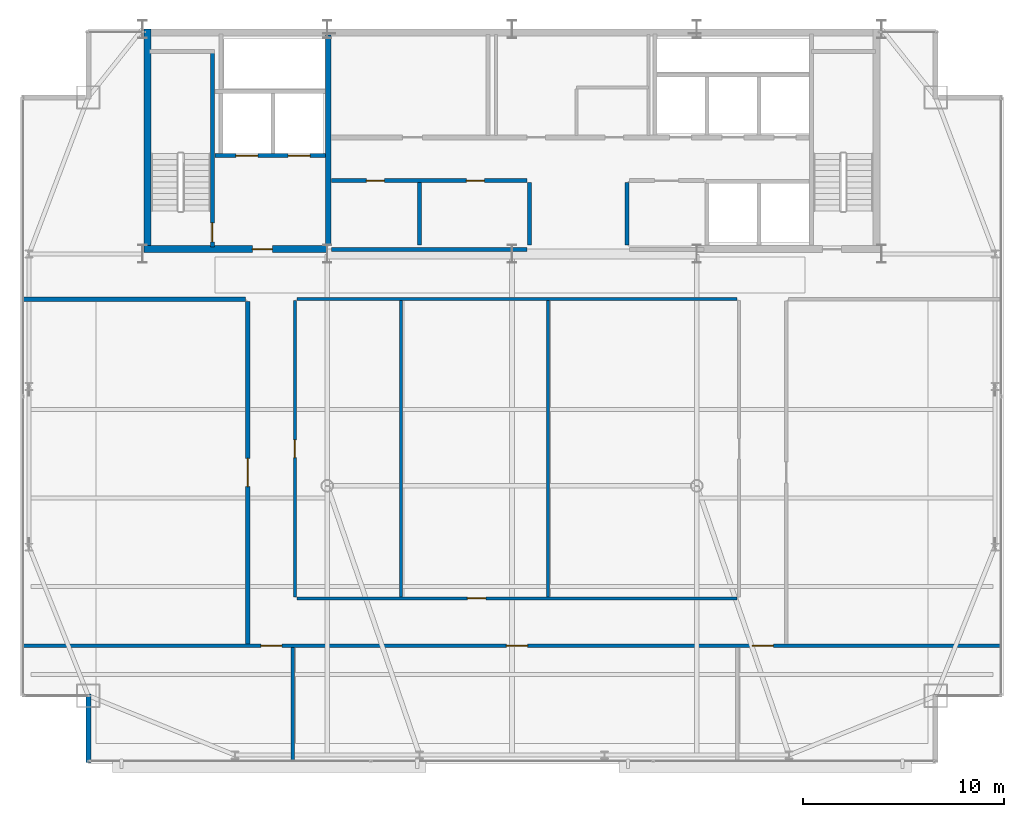
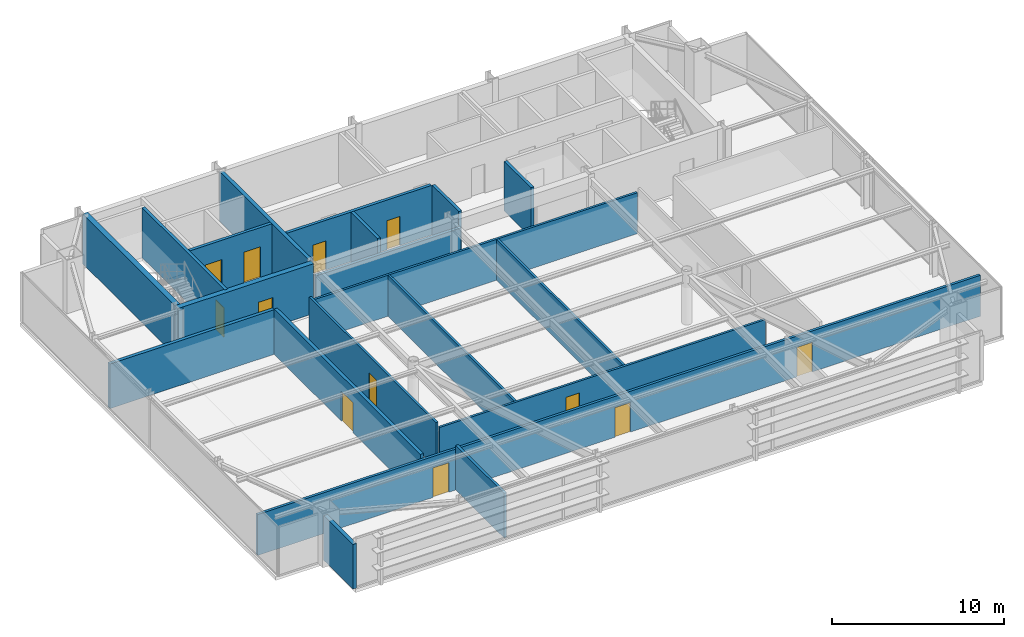
# One storey, part 22 of 25: 20 walls, 12 doors, 12 openings.
"""IFC4 building model written with IfcOpenShell, lengths in metres."""

from ifc_helpers import new_model, si_unit, direction, frame, frame_2d, origin, place, context, subcontext, project, spatial, rectangle, extrude, source, transform, mapped, material, layer, layer_set, type_object, type_shapes, element, fill, save


model = new_model("IFC4")

# Units and contexts
model_context = context("Model", 3, precision=1e-05, world=origin(), true_north=direction((0.0, 1.0)))
body_context = subcontext(model_context, "Body", "Model", "MODEL_VIEW")
ifc_project = project(units=[si_unit("LENGTHUNIT", "METRE"), si_unit("AREAUNIT", "SQUARE_METRE"), si_unit("VOLUMEUNIT", "CUBIC_METRE"), si_unit("PLANEANGLEUNIT", "RADIAN"), si_unit("MASSUNIT", "GRAM", prefix="KILO")], contexts=[model_context])

# Site, building, storey
site_placement = place(None, origin())
site = spatial("IfcSite", under=ifc_project, at=site_placement, CompositionType="ELEMENT")
building_placement = place(site_placement, origin())
building = spatial("IfcBuilding", under=site, at=building_placement, Name="Varnel Quay Broadcast Tower", CompositionType="ELEMENT")
storey_placement = place(building_placement, frame((0.0, 0.0, 226.39990234375)))
storey = spatial("IfcBuildingStorey", under=building, at=storey_placement, Name="L56", CompositionType="ELEMENT", Elevation=226.39990234375)

# Wall, opening, door
ifc_material_1 = material(Name="Concrete CSA A23.3 C50/60", Category="concrete")
ifc_layer_1 = layer(ifc_material_1, 0.199951171875, Name="Concrete CSA A23.3 C50/60")
ifc_layer_set_1 = layer_set([ifc_layer_1], Name="Concrete CSA A23.3 C50/60")
wall_type_1 = type_object("IfcWallType", Name="Wall_CoreShaftShear200", PredefinedType="SHEAR", material=ifc_layer_set_1)
wall_1_placement = place(storey_placement, frame((19.080078125, 35.949951171875, 0.0), z_axis=(0.0, 0.0, 1.0), x_axis=(0.0, 1.0, 0.0)))
wall_1 = element("IfcWall", 1, at=wall_1_placement, inside=storey, type_object=wall_type_1, Name="L56 Stair 1 East Structural Wall", PredefinedType="SHEAR", context=body_context, shape_type="SweptSolid", body=[
    extrude(rectangle(XDim=9.650146484375, YDim=0.199951171875, at=frame_2d((4.8251953125, 0.0))), origin(), (0.0, 0.0, 1.0), 3.550048828125),
])
opening_1_placement = place(wall_1_placement, frame((0.25, 0.0, 0.0)))
opening_1 = element("IfcOpeningElement", 2, at=opening_1_placement, cuts=wall_1, Name="Opening D-L56-S1", PredefinedType="OPENING", context=body_context, shape_type="SweptSolid", body=[
    extrude(rectangle(XDim=0.949951171875, YDim=2.10009765625, at=frame_2d((0.47509765625, 1.050048828125))), frame((0.0, 0.10986328125, 0.0), z_axis=(0.0, -1.0, 0.0), x_axis=(1.0, 0.0, 0.0)), (0.0, 0.0, 1.0), 0.219970703125),
])
ifc_material_2 = material(Name="Insulated Fire-Rated Hollow Steel Door", Category="steel")
door_type_1 = type_object("IfcDoorType", Name="Door_FireStair950", OperationType="NOTDEFINED", PredefinedType="DOOR", material=ifc_material_2)
shared_shape_1 = source(origin(), body_context, "Body", "SweptSolid", [
    extrude(rectangle(XDim=0.949951171875, YDim=2.10009765625, at=frame_2d((0.47509765625, 1.050048828125))), frame((0.0, 0.02490234375, 0.0), z_axis=(0.0, -1.0, 0.0), x_axis=(1.0, 0.0, 0.0)), (0.0, 0.0, 1.0), 0.050048828125),
])
type_shapes(door_type_1, [shared_shape_1])
door_1_placement = place(opening_1_placement, origin())
door_1 = element("IfcDoor", 3, at=door_1_placement, inside=storey, type_object=door_type_1, Name="L56 Stair 1 Fire Door", OperationType="SINGLE_SWING_RIGHT", OverallHeight=2.10009765625, OverallWidth=0.949951171875, PredefinedType="DOOR", context=body_context, shape_type="MappedRepresentation", body=[
    mapped(shared_shape_1, transform((0.0, 0.0, 0.0), x_axis=(1.0, 0.0, 0.0), y_axis=(0.0, 1.0, 0.0), z_axis=(0.0, 0.0, 1.0), scale=1.0)),
])
fill(opening_1, door_1)

# Wall, openings, doors
wall_2_placement = place(storey_placement, frame((19.199951171875, 40.5, 0.0), z_axis=(0.0, 0.0, 1.0), x_axis=(1.0, 0.0, 0.0)))
wall_2 = element("IfcWall", 4, at=wall_2_placement, inside=storey, type_object=wall_type_1, Name="L56 Firefighter Lift Shaft Front Wall", PredefinedType="SHEAR", context=body_context, shape_type="SweptSolid", body=[
    extrude(rectangle(XDim=5.52001953125, YDim=0.199951171875, at=frame_2d((2.760009765625, 0.0))), origin(), (0.0, 0.0, 1.0), 3.550048828125),
])
opening_2_placement = place(wall_2_placement, frame((1.050048828125, 0.0, 0.0)))
opening_2 = element("IfcOpeningElement", 5, at=opening_2_placement, cuts=wall_2, Name="Opening LD-L56-FE1", PredefinedType="OPENING", context=body_context, shape_type="SweptSolid", body=[
    extrude(rectangle(XDim=1.10009765625, YDim=2.179931640625, at=frame_2d((0.550048828125, 1.08984375))), frame((0.0, 0.10986328125, 0.0), z_axis=(0.0, -1.0, 0.0), x_axis=(1.0, 0.0, 0.0)), (0.0, 0.0, 1.0), 0.219970703125),
])
opening_3_placement = place(wall_2_placement, frame((3.64990234375, 0.0, 0.0)))
opening_3 = element("IfcOpeningElement", 6, at=opening_3_placement, cuts=wall_2, Name="Opening LD-L56-FE2", PredefinedType="OPENING", context=body_context, shape_type="SweptSolid", body=[
    extrude(rectangle(XDim=1.10009765625, YDim=2.179931640625, at=frame_2d((0.550048828125, 1.08984375))), frame((0.0, 0.10986328125, 0.0), z_axis=(0.0, -1.0, 0.0), x_axis=(1.0, 0.0, 0.0)), (0.0, 0.0, 1.0), 0.219970703125),
])
ifc_material_3 = material(Name="Brushed Bronze-Stainless Lift Car & Sliding Doors", Category="steel")
door_type_2 = type_object("IfcDoorType", Name="Door_LiftLanding1100", OperationType="SLIDING_TO_LEFT", PredefinedType="DOOR", material=ifc_material_3)
shared_shape_2 = source(origin(), body_context, "Body", "SweptSolid", [
    extrude(rectangle(XDim=1.10009765625, YDim=2.179931640625, at=frame_2d((0.550048828125, 1.08984375))), frame((0.0, 0.02490234375, 0.0), z_axis=(0.0, -1.0, 0.0), x_axis=(1.0, 0.0, 0.0)), (0.0, 0.0, 1.0), 0.050048828125),
])
type_shapes(door_type_2, [shared_shape_2])
door_2_placement = place(opening_2_placement, frame((1.10009765625, 0.0, 0.0), z_axis=(0.0, 0.0, 1.0), x_axis=(-1.0, 0.0, 0.0)))
door_2 = element("IfcDoor", 7, at=door_2_placement, inside=storey, type_object=door_type_2, Name="L56 Firefighter Lift FE-01 Landing Door", OperationType="SLIDING_TO_LEFT", OverallHeight=2.179931640625, OverallWidth=1.10009765625, PredefinedType="DOOR", context=body_context, shape_type="MappedRepresentation", body=[
    mapped(shared_shape_2, transform((0.0, 0.0, 0.0), x_axis=(1.0, 0.0, 0.0), y_axis=(0.0, 1.0, 0.0), z_axis=(0.0, 0.0, 1.0), scale=1.0)),
])
fill(opening_2, door_2)
door_3_placement = place(opening_3_placement, frame((1.10009765625, 0.0, 0.0), z_axis=(0.0, 0.0, 1.0), x_axis=(-1.0, 0.0, 0.0)))
door_3 = element("IfcDoor", 8, at=door_3_placement, inside=storey, type_object=door_type_2, Name="L56 Firefighter Lift FE-02 Landing Door", OperationType="SLIDING_TO_RIGHT", OverallHeight=2.179931640625, OverallWidth=1.10009765625, PredefinedType="DOOR", context=body_context, shape_type="MappedRepresentation", body=[
    mapped(shared_shape_2, transform((0.0, 0.0, 0.0), x_axis=(1.0, 0.0, 0.0), y_axis=(0.0, 1.0, 0.0), z_axis=(0.0, 0.0, 1.0), scale=1.0)),
])
fill(opening_3, door_3)

# Walls
ifc_layer_2 = layer(ifc_material_1, 0.25, Name="Concrete CSA A23.3 C50/60")
ifc_layer_set_2 = layer_set([ifc_layer_2], Name="Concrete CSA A23.3 C50/60")
wall_type_2 = type_object("IfcWallType", Name="Wall_CoreShaftShear250", PredefinedType="SHEAR", material=ifc_layer_set_2)
wall_3_placement = place(storey_placement, frame((24.85009765625, 36.050048828125, 0.0), z_axis=(0.0, 0.0, 1.0), x_axis=(0.0, 1.0, 0.0)))
element("IfcWall", 9, at=wall_3_placement, inside=storey, type_object=wall_type_2, Name="L56 Firefighting Lobby East Structural Wall", PredefinedType="SHEAR", context=body_context, shape_type="SweptSolid", body=[
    extrude(rectangle(XDim=10.449951171875, YDim=0.25, at=frame_2d((5.22509765625, 0.0))), origin(), (0.0, 0.0, 1.0), 3.550048828125),
])
ifc_layer_3 = layer(ifc_material_1, 0.35009765625, Name="Concrete CSA A23.3 C50/60")
ifc_layer_set_3 = layer_set([ifc_layer_3], Name="Concrete CSA A23.3 C50/60")
wall_type_3 = type_object("IfcWallType", Name="Wall_CoreShearInt350", PredefinedType="SHEAR", material=ifc_layer_set_3)
wall_4_placement = place(storey_placement, frame((15.844970703125, 35.669921875, 0.0), z_axis=(0.0, 0.0, 1.0), x_axis=(0.0, 1.0, 0.0)))
element("IfcWall", 10, at=wall_4_placement, inside=storey, type_object=wall_type_3, Name="L56 West Core Shear Wall", PredefinedType="SHEAR", context=body_context, shape_type="SweptSolid", body=[
    extrude(rectangle(XDim=11.130126953125, YDim=0.35009765625, at=frame_2d((5.56494140625, 0.0))), origin(), (0.0, 0.0, 1.0), 3.550048828125),
])

# Wall, opening, door
wall_5_placement = place(storey_placement, frame((15.669921875, 35.844970703125, 0.0), z_axis=(0.0, 0.0, 1.0), x_axis=(1.0, 0.0, 0.0)))
wall_5 = element("IfcWall", 11, at=wall_5_placement, inside=storey, type_object=wall_type_3, Name="L56 South-West Core Shear Wall", PredefinedType="SHEAR", context=body_context, shape_type="SweptSolid", body=[
    extrude(rectangle(XDim=9.130126953125, YDim=0.35009765625, at=frame_2d((4.56494140625, 0.0))), origin(), (0.0, 0.0, 1.0), 3.550048828125),
])
opening_4_placement = place(wall_5_placement, frame((5.39990234375, 0.0, 0.0)))
opening_4 = element("IfcOpeningElement", 12, at=opening_4_placement, cuts=wall_5, Name="Opening D-L56-FFL", PredefinedType="OPENING", context=body_context, shape_type="SweptSolid", body=[
    extrude(rectangle(XDim=1.0, YDim=2.10009765625, at=frame_2d((0.5, 1.050048828125))), frame((0.0, 0.18505859375, 0.0), z_axis=(0.0, -1.0, 0.0), x_axis=(1.0, 0.0, 0.0)), (0.0, 0.0, 1.0), 0.3701171875),
])
door_type_3 = type_object("IfcDoorType", Name="Door_FireLobby1000", OperationType="NOTDEFINED", PredefinedType="DOOR", material=ifc_material_2)
shared_shape_3 = source(origin(), body_context, "Body", "SweptSolid", [
    extrude(rectangle(XDim=1.0, YDim=2.10009765625, at=frame_2d((0.5, 1.050048828125))), frame((0.0, 0.02490234375, 0.0), z_axis=(0.0, -1.0, 0.0), x_axis=(1.0, 0.0, 0.0)), (0.0, 0.0, 1.0), 0.050048828125),
])
type_shapes(door_type_3, [shared_shape_3])
door_4_placement = place(opening_4_placement, origin())
door_4 = element("IfcDoor", 13, at=door_4_placement, inside=storey, type_object=door_type_3, Name="L56 Firefighting Lobby Door", OperationType="SINGLE_SWING_LEFT", OverallHeight=2.10009765625, OverallWidth=1.0, PredefinedType="DOOR", context=body_context, shape_type="MappedRepresentation", body=[
    mapped(shared_shape_3, transform((0.0, 0.0, 0.0), x_axis=(1.0, 0.0, 0.0), y_axis=(0.0, 1.0, 0.0), z_axis=(0.0, 0.0, 1.0), scale=1.0)),
])
fill(opening_4, door_4)

# Walls
ifc_material_4 = material(Name="Precast Architectural Concrete C40/50", Category="concrete")
ifc_layer_4 = layer(ifc_material_4, 0.25, Name="Precast Architectural Concrete C40/50")
ifc_layer_set_4 = layer_set([ifc_layer_4], Name="Precast Architectural Concrete C40/50")
wall_type_4 = type_object("IfcWallType", Name="Wall_ExtTerrace250", PredefinedType="SOLIDWALL", material=ifc_layer_set_4)
wall_6_placement = place(storey_placement, frame((12.89990234375, 10.280029296875, 0.0), z_axis=(0.0, 0.0, 1.0), x_axis=(0.0, 1.0, 0.0)))
element("IfcWall", 14, at=wall_6_placement, inside=storey, type_object=wall_type_4, Name="L56 Mega-Column Notch Cladding Wall NSW2", PredefinedType="SOLIDWALL", context=body_context, shape_type="SweptSolid", body=[
    extrude(rectangle(XDim=3.39990234375, YDim=0.25, at=frame_2d((1.699951171875, 0.0))), origin(), (0.0, 0.0, 1.0), 3.171142578125),
])
ifc_material_5 = material(Name="Concrete Blockwork Fire Enclosure C40/50", Category="masonry")
ifc_layer_5 = layer(ifc_material_5, 0.199951171875, Name="Concrete Blockwork Fire Enclosure C40/50")
ifc_layer_set_5 = layer_set([ifc_layer_5], Name="Concrete Blockwork Fire Enclosure C40/50")
wall_type_5 = type_object("IfcWallType", Name="Wall_FireShaft200", PredefinedType="SOLIDWALL", material=ifc_layer_set_5)
wall_7_placement = place(storey_placement, frame((39.72509765625, 36.050048828125, 0.0), z_axis=(0.0, 0.0, 1.0), x_axis=(0.0, 1.0, 0.0)))
element("IfcWall", 15, at=wall_7_placement, inside=storey, type_object=wall_type_5, Name="L56 Electrical Sub-Distribution Closet Partition 7", PredefinedType="SOLIDWALL", context=body_context, shape_type="SweptSolid", body=[
    extrude(rectangle(XDim=3.099853515625, YDim=0.199951171875, at=frame_2d((1.5498046875, 0.0))), origin(), (0.0, 0.0, 1.0), 3.530029296875),
])

# Wall, opening, door
ifc_material_6 = material(Name="Steel-Stud Fire-Rated Acoustic Gypsum Partition Assembly", Category="steel")
ifc_layer_6 = layer(ifc_material_6, 0.14990234375, Name="Steel-Stud Fire-Rated Acoustic Gypsum Partition Assembly")
ifc_layer_set_6 = layer_set([ifc_layer_6], Name="Steel-Stud Fire-Rated Acoustic Gypsum Partition Assembly")
wall_type_6 = type_object("IfcWallType", Name="Wall_Partition150", PredefinedType="PARTITIONING", material=ifc_layer_set_6)
wall_8_placement = place(storey_placement, frame((23.2900390625, 18.449951171875, 0.0), z_axis=(0.0, 0.0, 1.0), x_axis=(1.0, 0.0, 0.0)))
wall_8 = element("IfcWall", 16, at=wall_8_placement, inside=storey, type_object=wall_type_6, Name="L56 Catering Kitchen 5 Partition 13", PredefinedType="PARTITIONING", context=body_context, shape_type="SweptSolid", body=[
    extrude(rectangle(XDim=21.919921875, YDim=0.14990234375, at=frame_2d((10.9599609375, 0.0))), origin(), (0.0, 0.0, 1.0), 2.908203125),
])
opening_5_placement = place(wall_8_placement, frame((8.485107421875, 0.0, 0.0)))
opening_5 = element("IfcOpeningElement", 17, at=opening_5_placement, cuts=wall_8, Name="Opening D-L56-09", PredefinedType="OPENING", context=body_context, shape_type="SweptSolid", body=[
    extrude(rectangle(XDim=0.919921875, YDim=2.080078125, at=frame_2d((0.4599609375, 1.0400390625))), frame((0.0, 0.0849609375, 0.0), z_axis=(0.0, -1.0, 0.0), x_axis=(1.0, 0.0, 0.0)), (0.0, 0.0, 1.0), 0.169921875),
])
ifc_material_7 = material(Name="Solid-Core Fire-Rated Acoustic Oak Veneer Door", Category="wood")
door_type_4 = type_object("IfcDoorType", Name="Door_Office920", OperationType="NOTDEFINED", PredefinedType="DOOR", material=ifc_material_7)
shared_shape_4 = source(origin(), body_context, "Body", "SweptSolid", [
    extrude(rectangle(XDim=0.919921875, YDim=2.080078125, at=frame_2d((0.4599609375, 1.0400390625))), frame((0.0, 0.02490234375, 0.0), z_axis=(0.0, -1.0, 0.0), x_axis=(1.0, 0.0, 0.0)), (0.0, 0.0, 1.0), 0.050048828125),
])
type_shapes(door_type_4, [shared_shape_4])
door_5_placement = place(opening_5_placement, origin())
door_5 = element("IfcDoor", 18, at=door_5_placement, inside=storey, type_object=door_type_4, Name="L56 Bureau Office 6 Door D-L56-09", OperationType="SINGLE_SWING_LEFT", OverallHeight=2.080078125, OverallWidth=0.919921875, PredefinedType="DOOR", context=body_context, shape_type="MappedRepresentation", body=[
    mapped(shared_shape_4, transform((0.0, 0.0, 0.0), x_axis=(1.0, 0.0, 0.0), y_axis=(0.0, 1.0, 0.0), z_axis=(0.0, 0.0, 1.0), scale=1.0)),
])
fill(opening_5, door_5)

# Walls
wall_9_placement = place(storey_placement, frame((28.47998046875, 18.52490234375, 0.0), z_axis=(0.0, 0.0, 1.0), x_axis=(0.0, 1.0, 0.0)))
element("IfcWall", 19, at=wall_9_placement, inside=storey, type_object=wall_type_6, Name="L56 Catering Kitchen 5 Partition 14", PredefinedType="PARTITIONING", context=body_context, shape_type="SweptSolid", body=[
    extrude(rectangle(XDim=14.75, YDim=0.14990234375, at=frame_2d((7.375, 0.0))), origin(), (0.0, 0.0, 1.0), 2.908203125),
])
wall_10_placement = place(storey_placement, frame((23.2900390625, 33.35009765625, 0.0), z_axis=(0.0, 0.0, 1.0), x_axis=(1.0, 0.0, 0.0)))
element("IfcWall", 20, at=wall_10_placement, inside=storey, type_object=wall_type_6, Name="L56 Catering Kitchen 5 Partition 15", PredefinedType="PARTITIONING", context=body_context, shape_type="SweptSolid", body=[
    extrude(rectangle(XDim=21.919921875, YDim=0.14990234375, at=frame_2d((10.9599609375, 0.0))), origin(), (0.0, 0.0, 1.0), 2.908203125),
])

# Wall, opening, door
wall_11_placement = place(storey_placement, frame((23.18994140625, 18.52490234375, 0.0), z_axis=(0.0, 0.0, 1.0), x_axis=(0.0, 1.0, 0.0)))
wall_11 = element("IfcWall", 21, at=wall_11_placement, inside=storey, type_object=wall_type_6, Name="L56 Catering Kitchen 5 Partition 16", PredefinedType="PARTITIONING", context=body_context, shape_type="SweptSolid", body=[
    extrude(rectangle(XDim=14.75, YDim=0.14990234375, at=frame_2d((7.375, 0.0))), origin(), (0.0, 0.0, 1.0), 3.22216796875),
])
opening_6_placement = place(wall_11_placement, frame((6.93505859375, 0.0, 0.0)))
opening_6 = element("IfcOpeningElement", 22, at=opening_6_placement, cuts=wall_11, Name="Opening D-L56-08", PredefinedType="OPENING", context=body_context, shape_type="SweptSolid", body=[
    extrude(rectangle(XDim=0.8798828125, YDim=2.06005859375, at=frame_2d((0.43994140625, 1.030029296875))), frame((0.0, 0.0849609375, 0.0), z_axis=(0.0, -1.0, 0.0), x_axis=(1.0, 0.0, 0.0)), (0.0, 0.0, 1.0), 0.169921875),
])
door_type_5 = type_object("IfcDoorType", Name="Door_Booth880", OperationType="NOTDEFINED", PredefinedType="DOOR", material=ifc_material_7)
shared_shape_5 = source(origin(), body_context, "Body", "SweptSolid", [
    extrude(rectangle(XDim=0.8798828125, YDim=2.06005859375, at=frame_2d((0.43994140625, 1.030029296875))), frame((0.0, 0.02490234375, 0.0), z_axis=(0.0, -1.0, 0.0), x_axis=(1.0, 0.0, 0.0)), (0.0, 0.0, 1.0), 0.050048828125),
])
type_shapes(door_type_5, [shared_shape_5])
door_6_placement = place(opening_6_placement, frame((0.8798828125, 0.0, 0.0), z_axis=(0.0, 0.0, 1.0), x_axis=(-1.0, 0.0, 0.0)))
door_6 = element("IfcDoor", 23, at=door_6_placement, inside=storey, type_object=door_type_5, Name="L56 Catering Kitchen 5 Door D-L56-08", OperationType="SINGLE_SWING_RIGHT", OverallHeight=2.06005859375, OverallWidth=0.8798828125, PredefinedType="DOOR", context=body_context, shape_type="MappedRepresentation", body=[
    mapped(shared_shape_5, transform((0.0, 0.0, 0.0), x_axis=(1.0, 0.0, 0.0), y_axis=(0.0, 1.0, 0.0), z_axis=(0.0, 0.0, 1.0), scale=1.0)),
])
fill(opening_6, door_6)

# Walls
wall_12_placement = place(storey_placement, frame((35.7900390625, 18.52490234375, 0.0), z_axis=(0.0, 0.0, 1.0), x_axis=(0.0, 1.0, 0.0)))
element("IfcWall", 24, at=wall_12_placement, inside=storey, type_object=wall_type_6, Name="L56 Bureau Office 6 Partition 17", PredefinedType="PARTITIONING", context=body_context, shape_type="SweptSolid", body=[
    extrude(rectangle(XDim=14.75, YDim=0.14990234375, at=frame_2d((7.375, 0.0))), origin(), (0.0, 0.0, 1.0), 2.908203125),
])
ifc_layer_7 = layer(ifc_material_6, 0.175048828125, Name="Steel-Stud Fire-Rated Acoustic Gypsum Partition Assembly")
ifc_layer_set_7 = layer_set([ifc_layer_7], Name="Steel-Stud Fire-Rated Acoustic Gypsum Partition Assembly")
wall_type_7 = type_object("IfcWallType", Name="Wall_Partition175", PredefinedType="PARTITIONING", material=ifc_layer_set_7)
wall_13_placement = place(storey_placement, frame((23.090087890625, 10.3798828125, 0.0), z_axis=(0.0, 0.0, 1.0), x_axis=(0.0, 1.0, 0.0)))
element("IfcWall", 25, at=wall_13_placement, inside=storey, type_object=wall_type_7, Name="L56 Broadcast Seminar Room 1 Partition 8", PredefinedType="PARTITIONING", context=body_context, shape_type="SweptSolid", body=[
    extrude(rectangle(XDim=5.633056640625, YDim=0.175048828125, at=frame_2d((2.81640625, 0.0))), origin(), (0.0, 0.0, 1.0), 3.171142578125),
])

# Wall, openings, doors
wall_14_placement = place(storey_placement, frame((9.679931640625, 16.10009765625, 0.0), z_axis=(0.0, 0.0, 1.0), x_axis=(1.0, 0.0, 0.0)))
wall_14 = element("IfcWall", 26, at=wall_14_placement, inside=storey, type_object=wall_type_7, Name="L56 Broadcast Seminar Room 1 Partition 9", PredefinedType="PARTITIONING", context=body_context, shape_type="SweptSolid", body=[
    extrude(rectangle(XDim=48.64013671875, YDim=0.175048828125, at=frame_2d((24.320068359375, 0.0))), origin(), (0.0, 0.0, 1.0), 2.908203125),
])
opening_7_placement = place(wall_14_placement, frame((11.81005859375, 0.0, 0.0)))
opening_7 = element("IfcOpeningElement", 27, at=opening_7_placement, cuts=wall_14, Name="Opening D-L56-04", PredefinedType="OPENING", context=body_context, shape_type="SweptSolid", body=[
    extrude(rectangle(XDim=1.050048828125, YDim=2.10009765625, at=frame_2d((0.52490234375, 1.050048828125))), frame((0.0, 0.09765625, 0.0), z_axis=(0.0, -1.0, 0.0), x_axis=(1.0, 0.0, 0.0)), (0.0, 0.0, 1.0), 0.195068359375),
])
opening_8_placement = place(wall_14_placement, frame((24.044921875, 0.0, 0.0)))
opening_8 = element("IfcOpeningElement", 28, at=opening_8_placement, cuts=wall_14, Name="Opening D-L56-05", PredefinedType="OPENING", context=body_context, shape_type="SweptSolid", body=[
    extrude(rectangle(XDim=1.050048828125, YDim=2.10009765625, at=frame_2d((0.52490234375, 1.050048828125))), frame((0.0, 0.09765625, 0.0), z_axis=(0.0, -1.0, 0.0), x_axis=(1.0, 0.0, 0.0)), (0.0, 0.0, 1.0), 0.195068359375),
])
opening_9_placement = place(wall_14_placement, frame((36.280029296875, 0.0, 0.0)))
opening_9 = element("IfcOpeningElement", 29, at=opening_9_placement, cuts=wall_14, Name="Opening D-L56-06", PredefinedType="OPENING", context=body_context, shape_type="SweptSolid", body=[
    extrude(rectangle(XDim=1.050048828125, YDim=2.10009765625, at=frame_2d((0.52490234375, 1.050048828125))), frame((0.0, 0.09765625, 0.0), z_axis=(0.0, -1.0, 0.0), x_axis=(1.0, 0.0, 0.0)), (0.0, 0.0, 1.0), 0.195068359375),
])
door_type_6 = type_object("IfcDoorType", Name="Door_Meeting1050", OperationType="NOTDEFINED", PredefinedType="DOOR", material=ifc_material_7)
shared_shape_6 = source(origin(), body_context, "Body", "SweptSolid", [
    extrude(rectangle(XDim=1.050048828125, YDim=2.10009765625, at=frame_2d((0.52490234375, 1.050048828125))), frame((0.0, 0.02490234375, 0.0), z_axis=(0.0, -1.0, 0.0), x_axis=(1.0, 0.0, 0.0)), (0.0, 0.0, 1.0), 0.050048828125),
])
type_shapes(door_type_6, [shared_shape_6])
door_7_placement = place(opening_7_placement, frame((1.050048828125, 0.0, 0.0), z_axis=(0.0, 0.0, 1.0), x_axis=(-1.0, 0.0, 0.0)))
door_7 = element("IfcDoor", 30, at=door_7_placement, inside=storey, type_object=door_type_6, Name="L56 Broadcast Seminar Room 1 Door D-L56-04", OperationType="SINGLE_SWING_LEFT", OverallHeight=2.10009765625, OverallWidth=1.050048828125, PredefinedType="DOOR", context=body_context, shape_type="MappedRepresentation", body=[
    mapped(shared_shape_6, transform((0.0, 0.0, 0.0), x_axis=(1.0, 0.0, 0.0), y_axis=(0.0, 1.0, 0.0), z_axis=(0.0, 0.0, 1.0), scale=1.0)),
])
fill(opening_7, door_7)
door_8_placement = place(opening_8_placement, frame((1.050048828125, 0.0, 0.0), z_axis=(0.0, 0.0, 1.0), x_axis=(-1.0, 0.0, 0.0)))
door_8 = element("IfcDoor", 31, at=door_8_placement, inside=storey, type_object=door_type_6, Name="L56 Press Briefing Room 2 Door D-L56-05", OperationType="SINGLE_SWING_RIGHT", OverallHeight=2.10009765625, OverallWidth=1.050048828125, PredefinedType="DOOR", context=body_context, shape_type="MappedRepresentation", body=[
    mapped(shared_shape_6, transform((0.0, 0.0, 0.0), x_axis=(1.0, 0.0, 0.0), y_axis=(0.0, 1.0, 0.0), z_axis=(0.0, 0.0, 1.0), scale=1.0)),
])
fill(opening_8, door_8)
door_9_placement = place(opening_9_placement, frame((1.050048828125, 0.0, 0.0), z_axis=(0.0, 0.0, 1.0), x_axis=(-1.0, 0.0, 0.0)))
door_9 = element("IfcDoor", 32, at=door_9_placement, inside=storey, type_object=door_type_6, Name="L56 Editorial Huddle Room 3 Door D-L56-06", OperationType="SINGLE_SWING_LEFT", OverallHeight=2.10009765625, OverallWidth=1.050048828125, PredefinedType="DOOR", context=body_context, shape_type="MappedRepresentation", body=[
    mapped(shared_shape_6, transform((0.0, 0.0, 0.0), x_axis=(1.0, 0.0, 0.0), y_axis=(0.0, 1.0, 0.0), z_axis=(0.0, 0.0, 1.0), scale=1.0)),
])
fill(opening_9, door_9)

# Wall, opening, door
ifc_layer_8 = layer(ifc_material_6, 0.22509765625, Name="Steel-Stud Fire-Rated Acoustic Gypsum Partition Assembly")
ifc_layer_set_8 = layer_set([ifc_layer_8], Name="Steel-Stud Fire-Rated Acoustic Gypsum Partition Assembly")
wall_type_8 = type_object("IfcWallType", Name="Wall_Partition225", PredefinedType="PARTITIONING", material=ifc_layer_set_8)
wall_15_placement = place(storey_placement, frame((20.840087890625, 16.18798828125, 0.0), z_axis=(0.0, 0.0, 1.0), x_axis=(0.0, 1.0, 0.0)))
wall_15 = element("IfcWall", 33, at=wall_15_placement, inside=storey, type_object=wall_type_8, Name="L56 Journalism Training Studio 4 Partition 11", PredefinedType="PARTITIONING", context=body_context, shape_type="SweptSolid", body=[
    extrude(rectangle(XDim=17.050048828125, YDim=0.22509765625, at=frame_2d((8.52490234375, 0.0))), origin(), (0.0, 0.0, 1.0), 3.22216796875),
])
opening_10_placement = place(wall_15_placement, frame((7.8310546875, 0.0, 0.0)))
opening_10 = element("IfcOpeningElement", 34, at=opening_10_placement, cuts=wall_15, Name="Opening D-L56-07", PredefinedType="OPENING", context=body_context, shape_type="SweptSolid", body=[
    extrude(rectangle(XDim=1.39990234375, YDim=2.1201171875, at=frame_2d((0.699951171875, 1.06005859375))), frame((0.0, 0.12255859375, 0.0), z_axis=(0.0, -1.0, 0.0), x_axis=(1.0, 0.0, 0.0)), (0.0, 0.0, 1.0), 0.2451171875),
])
door_type_7 = type_object("IfcDoorType", Name="Door_Gallery1400", OperationType="DOUBLE_DOOR_SINGLE_SWING", PredefinedType="DOOR", material=ifc_material_7)
shared_shape_7 = source(origin(), body_context, "Body", "SweptSolid", [
    extrude(rectangle(XDim=1.39990234375, YDim=2.1201171875, at=frame_2d((0.699951171875, 1.06005859375))), frame((0.0, 0.02490234375, 0.0), z_axis=(0.0, -1.0, 0.0), x_axis=(1.0, 0.0, 0.0)), (0.0, 0.0, 1.0), 0.050048828125),
])
type_shapes(door_type_7, [shared_shape_7])
door_10_placement = place(opening_10_placement, origin())
door_10 = element("IfcDoor", 35, at=door_10_placement, inside=storey, type_object=door_type_7, Name="L56 Journalism Training Studio 4 Door D-L56-07", OperationType="DOUBLE_DOOR_SINGLE_SWING", OverallHeight=2.1201171875, OverallWidth=1.39990234375, PredefinedType="DOOR", context=body_context, shape_type="MappedRepresentation", body=[
    mapped(shared_shape_7, transform((0.0, 0.0, 0.0), x_axis=(1.0, 0.0, 0.0), y_axis=(0.0, 1.0, 0.0), z_axis=(0.0, 0.0, 1.0), scale=1.0)),
])
fill(opening_10, door_10)

# Walls
wall_16_placement = place(storey_placement, frame((9.679931640625, 33.35009765625, 0.0), z_axis=(0.0, 0.0, 1.0), x_axis=(1.0, 0.0, 0.0)))
element("IfcWall", 36, at=wall_16_placement, inside=storey, type_object=wall_type_8, Name="L56 Journalism Training Studio 4 Partition 12", PredefinedType="PARTITIONING", context=body_context, shape_type="SweptSolid", body=[
    extrude(rectangle(XDim=11.06005859375, YDim=0.22509765625, at=frame_2d((5.530029296875, 0.0))), origin(), (0.0, 0.0, 1.0), 3.171142578125),
])
ifc_material_8 = material(Name="Fire-Rated Moisture-Resistant Plumbing Chase Partition")
ifc_layer_9 = layer(ifc_material_8, 0.199951171875, Name="Fire-Rated Moisture-Resistant Plumbing Chase Partition")
ifc_layer_set_9 = layer_set([ifc_layer_9], Name="Fire-Rated Moisture-Resistant Plumbing Chase Partition")
wall_type_9 = type_object("IfcWallType", Name="Wall_Plumbing200", PredefinedType="PLUMBINGWALL", material=ifc_layer_set_9)
wall_17_placement = place(storey_placement, frame((25.0, 35.824951171875, 0.0), z_axis=(0.0, 0.0, 1.0), x_axis=(1.0, 0.0, 0.0)))
element("IfcWall", 37, at=wall_17_placement, inside=storey, type_object=wall_type_9, Name="L56 Accessible Washroom Partition 1", PredefinedType="PLUMBINGWALL", context=body_context, shape_type="SweptSolid", body=[
    extrude(rectangle(XDim=9.75, YDim=0.199951171875, at=frame_2d((4.875, 0.0))), origin(), (0.0, 0.0, 1.0), 2.5751953125),
])
wall_18_placement = place(storey_placement, frame((29.39990234375, 36.050048828125, 0.0), z_axis=(0.0, 0.0, 1.0), x_axis=(0.0, 1.0, 0.0)))
element("IfcWall", 38, at=wall_18_placement, inside=storey, type_object=wall_type_9, Name="L56 Accessible Washroom Partition 2", PredefinedType="PLUMBINGWALL", context=body_context, shape_type="SweptSolid", body=[
    extrude(rectangle(XDim=3.099853515625, YDim=0.199951171875, at=frame_2d((1.5498046875, 0.0))), origin(), (0.0, 0.0, 1.0), 3.530029296875),
])

# Wall, openings, doors
wall_19_placement = place(storey_placement, frame((25.0, 39.25, 0.0), z_axis=(0.0, 0.0, 1.0), x_axis=(1.0, 0.0, 0.0)))
wall_19 = element("IfcWall", 39, at=wall_19_placement, inside=storey, type_object=wall_type_9, Name="L56 Accessible Washroom Partition 3", PredefinedType="PLUMBINGWALL", context=body_context, shape_type="SweptSolid", body=[
    extrude(rectangle(XDim=9.75, YDim=0.199951171875, at=frame_2d((4.875, 0.0))), origin(), (0.0, 0.0, 1.0), 3.530029296875),
])
opening_11_placement = place(wall_19_placement, frame((1.75, 0.0, 0.0)))
opening_11 = element("IfcOpeningElement", 40, at=opening_11_placement, cuts=wall_19, Name="Opening D-L56-01", PredefinedType="OPENING", context=body_context, shape_type="SweptSolid", body=[
    extrude(rectangle(XDim=0.89990234375, YDim=2.06005859375, at=frame_2d((0.449951171875, 1.030029296875))), frame((0.0, 0.10986328125, 0.0), z_axis=(0.0, -1.0, 0.0), x_axis=(1.0, 0.0, 0.0)), (0.0, 0.0, 1.0), 0.219970703125),
])
opening_12_placement = place(wall_19_placement, frame((6.72509765625, 0.0, 0.0)))
opening_12 = element("IfcOpeningElement", 41, at=opening_12_placement, cuts=wall_19, Name="Opening D-L56-02", PredefinedType="OPENING", context=body_context, shape_type="SweptSolid", body=[
    extrude(rectangle(XDim=0.89990234375, YDim=2.06005859375, at=frame_2d((0.449951171875, 1.030029296875))), frame((0.0, 0.10986328125, 0.0), z_axis=(0.0, -1.0, 0.0), x_axis=(1.0, 0.0, 0.0)), (0.0, 0.0, 1.0), 0.219970703125),
])
door_type_8 = type_object("IfcDoorType", Name="Door_Washroom900", OperationType="NOTDEFINED", PredefinedType="DOOR", material=ifc_material_7)
shared_shape_8 = source(origin(), body_context, "Body", "SweptSolid", [
    extrude(rectangle(XDim=0.89990234375, YDim=2.06005859375, at=frame_2d((0.449951171875, 1.030029296875))), frame((0.0, 0.02490234375, 0.0), z_axis=(0.0, -1.0, 0.0), x_axis=(1.0, 0.0, 0.0)), (0.0, 0.0, 1.0), 0.050048828125),
])
type_shapes(door_type_8, [shared_shape_8])
door_11_placement = place(opening_11_placement, frame((0.89990234375, 0.0, 0.0), z_axis=(0.0, 0.0, 1.0), x_axis=(-1.0, 0.0, 0.0)))
door_11 = element("IfcDoor", 42, at=door_11_placement, inside=storey, type_object=door_type_8, Name="L56 Accessible Washroom Door D-L56-01", OperationType="SINGLE_SWING_RIGHT", OverallHeight=2.06005859375, OverallWidth=0.89990234375, PredefinedType="DOOR", context=body_context, shape_type="MappedRepresentation", body=[
    mapped(shared_shape_8, transform((0.0, 0.0, 0.0), x_axis=(1.0, 0.0, 0.0), y_axis=(0.0, 1.0, 0.0), z_axis=(0.0, 0.0, 1.0), scale=1.0)),
])
fill(opening_11, door_11)
door_12_placement = place(opening_12_placement, frame((0.89990234375, 0.0, 0.0), z_axis=(0.0, 0.0, 1.0), x_axis=(-1.0, 0.0, 0.0)))
door_12 = element("IfcDoor", 43, at=door_12_placement, inside=storey, type_object=door_type_8, Name="L56 Staff Washrooms Door D-L56-02", OperationType="SINGLE_SWING_LEFT", OverallHeight=2.06005859375, OverallWidth=0.89990234375, PredefinedType="DOOR", context=body_context, shape_type="MappedRepresentation", body=[
    mapped(shared_shape_8, transform((0.0, 0.0, 0.0), x_axis=(1.0, 0.0, 0.0), y_axis=(0.0, 1.0, 0.0), z_axis=(0.0, 0.0, 1.0), scale=1.0)),
])
fill(opening_12, door_12)

# Wall
wall_20_placement = place(storey_placement, frame((34.875, 36.050048828125, 0.0), z_axis=(0.0, 0.0, 1.0), x_axis=(0.0, 1.0, 0.0)))
element("IfcWall", 44, at=wall_20_placement, inside=storey, type_object=wall_type_9, Name="L56 Staff Washrooms Partition 4", PredefinedType="PLUMBINGWALL", context=body_context, shape_type="SweptSolid", body=[
    extrude(rectangle(XDim=3.099853515625, YDim=0.199951171875, at=frame_2d((1.5498046875, 0.0))), origin(), (0.0, 0.0, 1.0), 3.530029296875),
])

save(model, "model.ifc")
